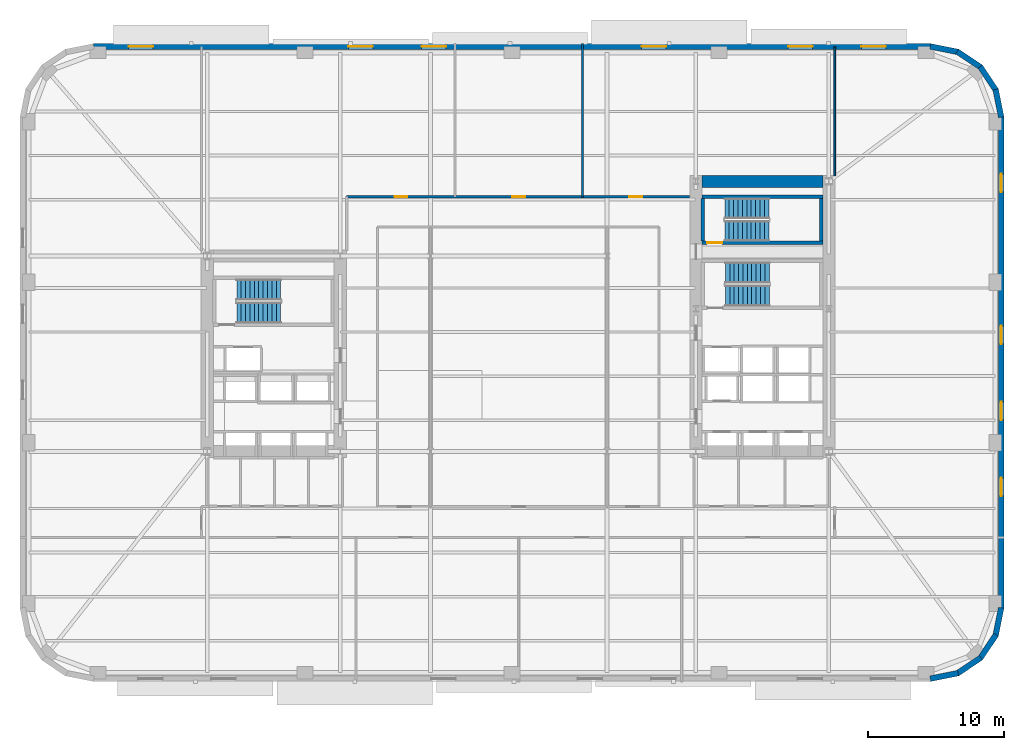
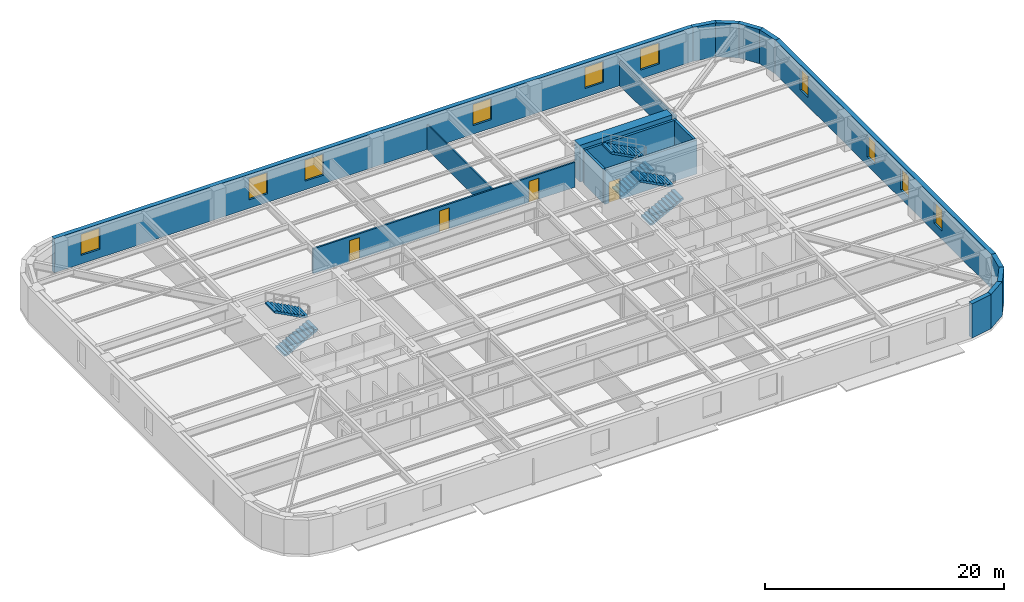
# One storey, part 7 of 15: 18 walls, 10 windows, 6 stair flights, 4 doors, 14 openings, 3 elements without a shape of their own.
"""IFC4 building model written with IfcOpenShell, lengths in metres."""

from ifc_helpers import new_model, si_unit, direction, frame, frame_2d, origin, place, context, subcontext, project, spatial, polyline, rectangle, outline, extrude, material, layer, layer_set, type_object, element, fill, aggregate, save


model = new_model("IFC4")

# Units and contexts
model_context = context("Model", 3, precision=1e-05, world=origin(), true_north=direction((0.0, 1.0)))
body_context = subcontext(model_context, "Body", "Model", "MODEL_VIEW")
ifc_project = project(units=[si_unit("LENGTHUNIT", "METRE"), si_unit("AREAUNIT", "SQUARE_METRE"), si_unit("VOLUMEUNIT", "CUBIC_METRE"), si_unit("PLANEANGLEUNIT", "RADIAN"), si_unit("MASSUNIT", "GRAM", prefix="KILO")], contexts=[model_context])

# Site, building, storey
site_placement = place(None, origin())
site = spatial("IfcSite", under=ifc_project, at=site_placement, CompositionType="ELEMENT")
building_placement = place(site_placement, origin())
building = spatial("IfcBuilding", under=site, at=building_placement, Name="Kolvaren Arena Tower", CompositionType="ELEMENT")
storey_placement = place(building_placement, frame((0.0, 0.0, 64.5)))
storey = spatial("IfcBuildingStorey", under=building, at=storey_placement, Name="L13", CompositionType="ELEMENT", Elevation=64.5)

# Wall, openings, doors
ifc_material_1 = material(Name="Gypsum board acoustic assembly", Category="gypsum")
ifc_layer_1 = layer(ifc_material_1, 0.159912109375)
ifc_layer_set_1 = layer_set([ifc_layer_1], Name="Gypsum board acoustic assembly")
wall_type_1 = type_object("IfcWallType", Name="CORR-160", PredefinedType="PARTITIONING", material=ifc_layer_set_1)
wall_1_placement = place(storey_placement, frame((24.820068359375, 38.219970703125, 0.0), z_axis=(0.0, 0.0, 1.0), x_axis=(1.0, 0.0, 0.0)))
wall_1 = element("IfcWall", 1, at=wall_1_placement, inside=storey, type_object=wall_type_1, Name="Interior Partition Wall (L13)", PredefinedType="PARTITIONING", context=body_context, shape_type="SweptSolid", body=[
    extrude(rectangle(XDim=25.260009765625, YDim=0.159912109375, at=frame_2d((12.6298828125, 0.0))), origin(), (0.0, 0.0, 1.0), 2.5400390625),
])
opening_1_placement = place(wall_1_placement, frame((3.530029296875, 0.0, 0.0)))
opening_1 = element("IfcOpeningElement", 2, at=opening_1_placement, cuts=wall_1, Name="Opening D05", PredefinedType="OPENING", context=body_context, shape_type="SweptSolid", body=[
    extrude(rectangle(XDim=0.949951171875, YDim=2.14990234375, at=frame_2d((0.47509765625, 1.074951171875))), frame((0.0, 0.08984375, 0.0), z_axis=(0.0, -1.0, 0.0), x_axis=(1.0, 0.0, 0.0)), (0.0, 0.0, 1.0), 0.179931640625),
])
opening_2_placement = place(wall_1_placement, frame((12.205078125, 0.0, 0.0)))
opening_2 = element("IfcOpeningElement", 3, at=opening_2_placement, cuts=wall_1, Name="Opening D05", PredefinedType="OPENING", context=body_context, shape_type="SweptSolid", body=[
    extrude(rectangle(XDim=0.949951171875, YDim=2.14990234375, at=frame_2d((0.47509765625, 1.074951171875))), frame((0.0, 0.08984375, 0.0), z_axis=(0.0, -1.0, 0.0), x_axis=(1.0, 0.0, 0.0)), (0.0, 0.0, 1.0), 0.179931640625),
])
opening_3_placement = place(wall_1_placement, frame((20.830078125, 0.0, 0.0)))
opening_3 = element("IfcOpeningElement", 4, at=opening_3_placement, cuts=wall_1, Name="Opening D05", PredefinedType="OPENING", context=body_context, shape_type="SweptSolid", body=[
    extrude(rectangle(XDim=0.949951171875, YDim=2.14990234375, at=frame_2d((0.47509765625, 1.074951171875))), frame((0.0, 0.08984375, 0.0), z_axis=(0.0, -1.0, 0.0), x_axis=(1.0, 0.0, 0.0)), (0.0, 0.0, 1.0), 0.179931640625),
])
ifc_material_2 = material(Name="Solid-core oak acoustic office door", Category="wood")
door_type_1 = type_object("IfcDoorType", Name="DOOR-OF-095", OperationType="NOTDEFINED", PredefinedType="DOOR", material=ifc_material_2)
door_1_placement = place(opening_1_placement, origin())
door_1 = element("IfcDoor", 5, at=door_1_placement, inside=storey, type_object=door_type_1, Name="Corporate Project Office Door (L13)", OperationType="SINGLE_SWING_LEFT", OverallHeight=2.14990234375, OverallWidth=0.949951171875, PredefinedType="DOOR", context=body_context, shape_type="SweptSolid", body=[
    extrude(rectangle(XDim=0.949951171875, YDim=2.14990234375, at=frame_2d((0.47509765625, 1.074951171875))), frame((0.0, 0.02490234375, 0.0), z_axis=(0.0, -1.0, 0.0), x_axis=(1.0, 0.0, 0.0)), (0.0, 0.0, 1.0), 0.050048828125),
])
fill(opening_1, door_1)
door_2_placement = place(opening_2_placement, origin())
door_2 = element("IfcDoor", 6, at=door_2_placement, inside=storey, type_object=door_type_1, Name="Breakout Pantry and Kitchen Door (L13)", OperationType="SINGLE_SWING_RIGHT", OverallHeight=2.14990234375, OverallWidth=0.949951171875, PredefinedType="DOOR", context=body_context, shape_type="SweptSolid", body=[
    extrude(rectangle(XDim=0.949951171875, YDim=2.14990234375, at=frame_2d((0.47509765625, 1.074951171875))), frame((0.0, 0.02490234375, 0.0), z_axis=(0.0, -1.0, 0.0), x_axis=(1.0, 0.0, 0.0)), (0.0, 0.0, 1.0), 0.050048828125),
])
fill(opening_2, door_2)
door_3_placement = place(opening_3_placement, origin())
door_3 = element("IfcDoor", 7, at=door_3_placement, inside=storey, type_object=door_type_1, Name="Wellness Room Door (L13)", OperationType="SINGLE_SWING_LEFT", OverallHeight=2.14990234375, OverallWidth=0.949951171875, PredefinedType="DOOR", context=body_context, shape_type="SweptSolid", body=[
    extrude(rectangle(XDim=0.949951171875, YDim=2.14990234375, at=frame_2d((0.47509765625, 1.074951171875))), frame((0.0, 0.02490234375, 0.0), z_axis=(0.0, -1.0, 0.0), x_axis=(1.0, 0.0, 0.0)), (0.0, 0.0, 1.0), 0.050048828125),
])
fill(opening_3, door_3)

# Walls
ifc_material_3 = material(Name="Concrete 80 MPa", Category="concrete")
ifc_layer_2 = layer(ifc_material_3, 0.89990234375)
ifc_layer_set_2 = layer_set([ifc_layer_2], Name="Concrete 80 MPa")
wall_type_2 = type_object("IfcWallType", Name="CWALL-900", PredefinedType="SHEAR", material=ifc_layer_set_2)
wall_2_placement = place(storey_placement, frame((51.0, 39.35009765625, -0.27001953125), z_axis=(0.0, 0.0, 1.0), x_axis=(1.0, 0.0, 0.0)))
element("IfcWall", 8, at=wall_2_placement, inside=storey, type_object=wall_type_2, Name="Core Shear Wall EC-NORTH (L13)", PredefinedType="SHEAR", context=body_context, shape_type="SweptSolid", body=[
    extrude(rectangle(XDim=8.89990234375, YDim=0.89990234375, at=frame_2d((4.449951171875, 0.0))), origin(), (0.0, 0.0, 1.0), 3.75),
])
ifc_material_4 = material(Name="Precast concrete C50/60", Category="concrete")
ifc_layer_3 = layer(ifc_material_4, 0.419921875)
ifc_layer_set_3 = layer_set([ifc_layer_3], Name="Precast concrete C50/60")
wall_type_3 = type_object("IfcWallType", Name="EXT-PIER1", PredefinedType="SOLIDWALL", material=ifc_layer_set_3)
for number, where, z_axis, x_axis, name in (
    (9, (69.87548828125, 3.1171875, 0.0), (0.0, 0.0, 1.0), (-0.9807762837, -0.195135546048, 0.0), "Exterior Precast Masonry-Frame Wall (L13)"),
    (10, (71.5517578125, 4.256103515625, 0.0), (0.0, 0.0, 1.0), (-0.831515102434, -0.555502146192, 0.0), "Exterior Precast Masonry-Frame Wall (L13)"),
    (11, (72.664306640625, 5.9501953125, 0.0), (0.0, 0.0, 1.0), (-0.555502146192, -0.831515102434, 0.0), "Exterior Precast Masonry-Frame Wall (L13)"),
    (12, (73.0439453125, 7.94091796875, 0.0), (0.0, 0.0, 1.0), (-0.195135546048, -0.9807762837, 0.0), "Exterior Precast Masonry-Frame Wall (L13)"),
):
    element("IfcWall", number, at=place(storey_placement, frame(where, z_axis=z_axis, x_axis=x_axis)), inside=storey, type_object=wall_type_3, Name=name, PredefinedType="SOLIDWALL", context=body_context, shape_type="SweptSolid", body=[
        extrude(rectangle(XDim=2.10693359375, YDim=0.419921875, at=frame_2d((1.053466796875, 0.0))), origin(), (0.0, 0.0, 1.0), 3.47998046875),
    ])

# Wall, openings, windows
wall_3_placement = place(storey_placement, frame((73.0400390625, 44.10009765625, 0.0), z_axis=(0.0, 0.0, 1.0), x_axis=(0.0, -1.0, 0.0)))
wall_3 = element("IfcWall", 13, at=wall_3_placement, inside=storey, type_object=wall_type_3, Name="Exterior Precast Masonry-Frame Wall (L13)", PredefinedType="SOLIDWALL", context=body_context, shape_type="SweptSolid", body=[
    extrude(rectangle(XDim=36.2001953125, YDim=0.419921875, at=frame_2d((18.10009765625, 0.0))), origin(), (0.0, 0.0, 1.0), 3.47998046875),
])
opening_4_placement = place(wall_3_placement, frame((4.199951171875, 0.0, 0.8798828125)))
opening_4 = element("IfcOpeningElement", 14, at=opening_4_placement, cuts=wall_3, Name="Opening W04", PredefinedType="OPENING", context=body_context, shape_type="SweptSolid", body=[
    extrude(rectangle(XDim=1.35009765625, YDim=2.199951171875, at=frame_2d((0.675048828125, 1.10009765625))), frame((0.0, 0.219970703125, 0.0), z_axis=(0.0, -1.0, 0.0), x_axis=(1.0, 0.0, 0.0)), (0.0, 0.0, 1.0), 0.43994140625),
])
opening_5_placement = place(wall_3_placement, frame((15.39990234375, 0.0, 0.8798828125)))
opening_5 = element("IfcOpeningElement", 15, at=opening_5_placement, cuts=wall_3, Name="Opening W04", PredefinedType="OPENING", context=body_context, shape_type="SweptSolid", body=[
    extrude(rectangle(XDim=1.35009765625, YDim=2.199951171875, at=frame_2d((0.675048828125, 1.10009765625))), frame((0.0, 0.219970703125, 0.0), z_axis=(0.0, -1.0, 0.0), x_axis=(1.0, 0.0, 0.0)), (0.0, 0.0, 1.0), 0.43994140625),
])
opening_6_placement = place(wall_3_placement, frame((21.0, 0.0, 0.8798828125)))
opening_6 = element("IfcOpeningElement", 16, at=opening_6_placement, cuts=wall_3, Name="Opening W04", PredefinedType="OPENING", context=body_context, shape_type="SweptSolid", body=[
    extrude(rectangle(XDim=1.35009765625, YDim=2.199951171875, at=frame_2d((0.675048828125, 1.10009765625))), frame((0.0, 0.219970703125, 0.0), z_axis=(0.0, -1.0, 0.0), x_axis=(1.0, 0.0, 0.0)), (0.0, 0.0, 1.0), 0.43994140625),
])
opening_7_placement = place(wall_3_placement, frame((26.60009765625, 0.0, 0.8798828125)))
opening_7 = element("IfcOpeningElement", 17, at=opening_7_placement, cuts=wall_3, Name="Opening W04", PredefinedType="OPENING", context=body_context, shape_type="SweptSolid", body=[
    extrude(rectangle(XDim=1.35009765625, YDim=2.199951171875, at=frame_2d((0.675048828125, 1.10009765625))), frame((0.0, 0.219970703125, 0.0), z_axis=(0.0, -1.0, 0.0), x_axis=(1.0, 0.0, 0.0)), (0.0, 0.0, 1.0), 0.43994140625),
])
ifc_material_5 = material(Name="Triple-glazed curved-facet corner window", Category="glass")
window_type_1 = type_object("IfcWindowType", Name="WIN-CRN-A", PartitioningType="SINGLE_PANEL", PredefinedType="WINDOW", material=ifc_material_5)
window_1_placement = place(opening_4_placement, origin())
window_1 = element("IfcWindow", 18, at=window_1_placement, inside=storey, type_object=window_type_1, Name="End-Wall Punched Window (L13)", OverallHeight=2.199951171875, OverallWidth=1.35009765625, PartitioningType="SINGLE_PANEL", PredefinedType="WINDOW", context=body_context, shape_type="SweptSolid", body=[
    extrude(rectangle(XDim=1.35009765625, YDim=2.199951171875, at=frame_2d((0.675048828125, 1.10009765625))), frame((0.0, 0.030029296875, 0.0), z_axis=(0.0, -1.0, 0.0), x_axis=(1.0, 0.0, 0.0)), (0.0, 0.0, 1.0), 0.06005859375),
])
fill(opening_4, window_1)
window_2_placement = place(opening_5_placement, origin())
window_2 = element("IfcWindow", 19, at=window_2_placement, inside=storey, type_object=window_type_1, Name="End-Wall Punched Window (L13)", OverallHeight=2.199951171875, OverallWidth=1.35009765625, PartitioningType="SINGLE_PANEL", PredefinedType="WINDOW", context=body_context, shape_type="SweptSolid", body=[
    extrude(rectangle(XDim=1.35009765625, YDim=2.199951171875, at=frame_2d((0.675048828125, 1.10009765625))), frame((0.0, 0.030029296875, 0.0), z_axis=(0.0, -1.0, 0.0), x_axis=(1.0, 0.0, 0.0)), (0.0, 0.0, 1.0), 0.06005859375),
])
fill(opening_5, window_2)
window_3_placement = place(opening_6_placement, origin())
window_3 = element("IfcWindow", 20, at=window_3_placement, inside=storey, type_object=window_type_1, Name="End-Wall Punched Window (L13)", OverallHeight=2.199951171875, OverallWidth=1.35009765625, PartitioningType="SINGLE_PANEL", PredefinedType="WINDOW", context=body_context, shape_type="SweptSolid", body=[
    extrude(rectangle(XDim=1.35009765625, YDim=2.199951171875, at=frame_2d((0.675048828125, 1.10009765625))), frame((0.0, 0.030029296875, 0.0), z_axis=(0.0, -1.0, 0.0), x_axis=(1.0, 0.0, 0.0)), (0.0, 0.0, 1.0), 0.06005859375),
])
fill(opening_6, window_3)
window_4_placement = place(opening_7_placement, origin())
window_4 = element("IfcWindow", 21, at=window_4_placement, inside=storey, type_object=window_type_1, Name="End-Wall Punched Window (L13)", OverallHeight=2.199951171875, OverallWidth=1.35009765625, PartitioningType="SINGLE_PANEL", PredefinedType="WINDOW", context=body_context, shape_type="SweptSolid", body=[
    extrude(rectangle(XDim=1.35009765625, YDim=2.199951171875, at=frame_2d((0.675048828125, 1.10009765625))), frame((0.0, 0.030029296875, 0.0), z_axis=(0.0, -1.0, 0.0), x_axis=(1.0, 0.0, 0.0)), (0.0, 0.0, 1.0), 0.06005859375),
])
fill(opening_7, window_4)

# Walls
for number, where, z_axis, x_axis, name in (
    (22, (72.6328125, 46.12548828125, 0.0), (0.0, 0.0, 1.0), (0.195135546048, -0.9807762837, 0.0), "Exterior Precast Masonry-Frame Wall (L13)"),
    (23, (71.493896484375, 47.8017578125, 0.0), (0.0, 0.0, 1.0), (0.555502146192, -0.831515102434, 0.0), "Exterior Precast Masonry-Frame Wall (L13)"),
    (24, (69.7998046875, 48.914306640625, 0.0), (0.0, 0.0, 1.0), (0.831515102434, -0.555502146192, 0.0), "Exterior Precast Masonry-Frame Wall (L13)"),
    (25, (67.80908203125, 49.2939453125, 0.0), (0.0, 0.0, 1.0), (0.9807762837, -0.195135546048, 0.0), "Exterior Precast Masonry-Frame Wall (L13)"),
):
    element("IfcWall", number, at=place(storey_placement, frame(where, z_axis=z_axis, x_axis=x_axis)), inside=storey, type_object=wall_type_3, Name=name, PredefinedType="SOLIDWALL", context=body_context, shape_type="SweptSolid", body=[
        extrude(rectangle(XDim=2.10693359375, YDim=0.419921875, at=frame_2d((1.053466796875, 0.0))), origin(), (0.0, 0.0, 1.0), 3.47998046875),
    ])

# Wall, openings, windows
wall_4_placement = place(storey_placement, frame((6.14990234375, 49.2900390625, 0.0), z_axis=(0.0, 0.0, 1.0), x_axis=(1.0, 0.0, 0.0)))
wall_4 = element("IfcWall", 26, at=wall_4_placement, inside=storey, type_object=wall_type_3, Name="Exterior Precast Masonry-Frame Wall (L13)", PredefinedType="SOLIDWALL", context=body_context, shape_type="SweptSolid", body=[
    extrude(rectangle(XDim=61.7001953125, YDim=0.419921875, at=frame_2d((30.85009765625, 0.0))), origin(), (0.0, 0.0, 1.0), 3.47998046875),
])
opening_8_placement = place(wall_4_placement, frame((2.60009765625, 0.0, 0.8798828125)))
opening_8 = element("IfcOpeningElement", 27, at=opening_8_placement, cuts=wall_4, Name="Opening W02", PredefinedType="OPENING", context=body_context, shape_type="SweptSolid", body=[
    extrude(rectangle(XDim=1.800048828125, YDim=2.14990234375, at=frame_2d((0.89990234375, 1.074951171875))), frame((0.0, 0.219970703125, 0.0), z_axis=(0.0, -1.0, 0.0), x_axis=(1.0, 0.0, 0.0)), (0.0, 0.0, 1.0), 0.43994140625),
])
opening_9_placement = place(wall_4_placement, frame((18.800048828125, 0.0, 0.8798828125)))
opening_9 = element("IfcOpeningElement", 28, at=opening_9_placement, cuts=wall_4, Name="Opening W02", PredefinedType="OPENING", context=body_context, shape_type="SweptSolid", body=[
    extrude(rectangle(XDim=1.800048828125, YDim=2.14990234375, at=frame_2d((0.89990234375, 1.074951171875))), frame((0.0, 0.219970703125, 0.0), z_axis=(0.0, -1.0, 0.0), x_axis=(1.0, 0.0, 0.0)), (0.0, 0.0, 1.0), 0.43994140625),
])
opening_10_placement = place(wall_4_placement, frame((24.199951171875, 0.0, 0.8798828125)))
opening_10 = element("IfcOpeningElement", 29, at=opening_10_placement, cuts=wall_4, Name="Opening W02", PredefinedType="OPENING", context=body_context, shape_type="SweptSolid", body=[
    extrude(rectangle(XDim=1.800048828125, YDim=2.14990234375, at=frame_2d((0.89990234375, 1.074951171875))), frame((0.0, 0.219970703125, 0.0), z_axis=(0.0, -1.0, 0.0), x_axis=(1.0, 0.0, 0.0)), (0.0, 0.0, 1.0), 0.43994140625),
])
opening_11_placement = place(wall_4_placement, frame((40.39990234375, 0.0, 0.8798828125)))
opening_11 = element("IfcOpeningElement", 30, at=opening_11_placement, cuts=wall_4, Name="Opening W02", PredefinedType="OPENING", context=body_context, shape_type="SweptSolid", body=[
    extrude(rectangle(XDim=1.800048828125, YDim=2.14990234375, at=frame_2d((0.89990234375, 1.074951171875))), frame((0.0, 0.219970703125, 0.0), z_axis=(0.0, -1.0, 0.0), x_axis=(1.0, 0.0, 0.0)), (0.0, 0.0, 1.0), 0.43994140625),
])
opening_12_placement = place(wall_4_placement, frame((51.199951171875, 0.0, 0.8798828125)))
opening_12 = element("IfcOpeningElement", 31, at=opening_12_placement, cuts=wall_4, Name="Opening W02", PredefinedType="OPENING", context=body_context, shape_type="SweptSolid", body=[
    extrude(rectangle(XDim=1.800048828125, YDim=2.14990234375, at=frame_2d((0.89990234375, 1.074951171875))), frame((0.0, 0.219970703125, 0.0), z_axis=(0.0, -1.0, 0.0), x_axis=(1.0, 0.0, 0.0)), (0.0, 0.0, 1.0), 0.43994140625),
])
opening_13_placement = place(wall_4_placement, frame((56.60009765625, 0.0, 0.8798828125)))
opening_13 = element("IfcOpeningElement", 32, at=opening_13_placement, cuts=wall_4, Name="Opening W02", PredefinedType="OPENING", context=body_context, shape_type="SweptSolid", body=[
    extrude(rectangle(XDim=1.800048828125, YDim=2.14990234375, at=frame_2d((0.89990234375, 1.074951171875))), frame((0.0, 0.219970703125, 0.0), z_axis=(0.0, -1.0, 0.0), x_axis=(1.0, 0.0, 0.0)), (0.0, 0.0, 1.0), 0.43994140625),
])
ifc_material_6 = material(Name="Triple-glazed low-E aluminium window", Category="aluminium")
window_type_2 = type_object("IfcWindowType", Name="WIN-OFF-B", PartitioningType="DOUBLE_PANEL_VERTICAL", PredefinedType="WINDOW", material=ifc_material_6)
window_5_placement = place(opening_8_placement, origin())
window_5 = element("IfcWindow", 33, at=window_5_placement, inside=storey, type_object=window_type_2, Name="Punched Precast-Pier Window (L13)", OverallHeight=2.14990234375, OverallWidth=1.800048828125, PartitioningType="DOUBLE_PANEL_VERTICAL", PredefinedType="WINDOW", context=body_context, shape_type="SweptSolid", body=[
    extrude(rectangle(XDim=1.800048828125, YDim=2.14990234375, at=frame_2d((0.89990234375, 1.074951171875))), frame((0.0, 0.030029296875, 0.0), z_axis=(0.0, -1.0, 0.0), x_axis=(1.0, 0.0, 0.0)), (0.0, 0.0, 1.0), 0.06005859375),
])
fill(opening_8, window_5)
window_6_placement = place(opening_9_placement, origin())
window_6 = element("IfcWindow", 34, at=window_6_placement, inside=storey, type_object=window_type_2, Name="Punched Precast-Pier Window (L13)", OverallHeight=2.14990234375, OverallWidth=1.800048828125, PartitioningType="DOUBLE_PANEL_VERTICAL", PredefinedType="WINDOW", context=body_context, shape_type="SweptSolid", body=[
    extrude(rectangle(XDim=1.800048828125, YDim=2.14990234375, at=frame_2d((0.89990234375, 1.074951171875))), frame((0.0, 0.030029296875, 0.0), z_axis=(0.0, -1.0, 0.0), x_axis=(1.0, 0.0, 0.0)), (0.0, 0.0, 1.0), 0.06005859375),
])
fill(opening_9, window_6)
window_7_placement = place(opening_10_placement, origin())
window_7 = element("IfcWindow", 35, at=window_7_placement, inside=storey, type_object=window_type_2, Name="Punched Precast-Pier Window (L13)", OverallHeight=2.14990234375, OverallWidth=1.800048828125, PartitioningType="DOUBLE_PANEL_VERTICAL", PredefinedType="WINDOW", context=body_context, shape_type="SweptSolid", body=[
    extrude(rectangle(XDim=1.800048828125, YDim=2.14990234375, at=frame_2d((0.89990234375, 1.074951171875))), frame((0.0, 0.030029296875, 0.0), z_axis=(0.0, -1.0, 0.0), x_axis=(1.0, 0.0, 0.0)), (0.0, 0.0, 1.0), 0.06005859375),
])
fill(opening_10, window_7)
window_8_placement = place(opening_11_placement, origin())
window_8 = element("IfcWindow", 36, at=window_8_placement, inside=storey, type_object=window_type_2, Name="Punched Precast-Pier Window (L13)", OverallHeight=2.14990234375, OverallWidth=1.800048828125, PartitioningType="DOUBLE_PANEL_VERTICAL", PredefinedType="WINDOW", context=body_context, shape_type="SweptSolid", body=[
    extrude(rectangle(XDim=1.800048828125, YDim=2.14990234375, at=frame_2d((0.89990234375, 1.074951171875))), frame((0.0, 0.030029296875, 0.0), z_axis=(0.0, -1.0, 0.0), x_axis=(1.0, 0.0, 0.0)), (0.0, 0.0, 1.0), 0.06005859375),
])
fill(opening_11, window_8)
window_9_placement = place(opening_12_placement, origin())
window_9 = element("IfcWindow", 37, at=window_9_placement, inside=storey, type_object=window_type_2, Name="Punched Precast-Pier Window (L13)", OverallHeight=2.14990234375, OverallWidth=1.800048828125, PartitioningType="DOUBLE_PANEL_VERTICAL", PredefinedType="WINDOW", context=body_context, shape_type="SweptSolid", body=[
    extrude(rectangle(XDim=1.800048828125, YDim=2.14990234375, at=frame_2d((0.89990234375, 1.074951171875))), frame((0.0, 0.030029296875, 0.0), z_axis=(0.0, -1.0, 0.0), x_axis=(1.0, 0.0, 0.0)), (0.0, 0.0, 1.0), 0.06005859375),
])
fill(opening_12, window_9)
window_10_placement = place(opening_13_placement, origin())
window_10 = element("IfcWindow", 38, at=window_10_placement, inside=storey, type_object=window_type_2, Name="Punched Precast-Pier Window (L13)", OverallHeight=2.14990234375, OverallWidth=1.800048828125, PartitioningType="DOUBLE_PANEL_VERTICAL", PredefinedType="WINDOW", context=body_context, shape_type="SweptSolid", body=[
    extrude(rectangle(XDim=1.800048828125, YDim=2.14990234375, at=frame_2d((0.89990234375, 1.074951171875))), frame((0.0, 0.030029296875, 0.0), z_axis=(0.0, -1.0, 0.0), x_axis=(1.0, 0.0, 0.0)), (0.0, 0.0, 1.0), 0.06005859375),
])
fill(opening_13, window_10)

# Walls
ifc_material_7 = material(Name="Gypsum board partition assembly", Category="gypsum")
ifc_layer_4 = layer(ifc_material_7, 0.135009765625)
ifc_layer_set_4 = layer_set([ifc_layer_4], Name="Gypsum board partition assembly")
wall_type_4 = type_object("IfcWallType", Name="PART-135", PredefinedType="PARTITIONING", material=ifc_layer_set_4)
wall_5_placement = place(storey_placement, frame((42.199951171875, 38.219970703125, 0.0), z_axis=(0.0, 0.0, 1.0), x_axis=(0.0, 1.0, 0.0)))
element("IfcWall", 39, at=wall_5_placement, inside=storey, type_object=wall_type_4, Name="Interior Partition Wall (L13)", PredefinedType="PARTITIONING", context=body_context, shape_type="SweptSolid", body=[
    extrude(rectangle(XDim=11.280029296875, YDim=0.135009765625, at=frame_2d((5.64013671875, 0.0))), origin(), (0.0, 0.0, 1.0), 2.5400390625),
])
wall_6_placement = place(storey_placement, frame((60.780029296875, 39.75, 0.0), z_axis=(0.0, 0.0, 1.0), x_axis=(0.0, 1.0, 0.0)))
element("IfcWall", 40, at=wall_6_placement, inside=storey, type_object=wall_type_4, Name="Interior Partition Wall (L13)", PredefinedType="PARTITIONING", context=body_context, shape_type="SweptSolid", body=[
    extrude(rectangle(XDim=9.510009765625, YDim=0.135009765625, at=frame_2d((4.7548828125, 0.0))), origin(), (0.0, 0.0, 1.0), 2.5400390625),
])

# Wall, opening, door
ifc_material_8 = material(Name="Concrete 45 MPa", Category="concrete")
ifc_layer_5 = layer(ifc_material_8, 0.25)
ifc_layer_set_5 = layer_set([ifc_layer_5], Name="Concrete 45 MPa")
wall_type_5 = type_object("IfcWallType", Name="SHAFT-250", PredefinedType="SOLIDWALL", material=ifc_layer_set_5)
wall_7_placement = place(storey_placement, frame((59.89990234375, 34.830078125, 0.0), z_axis=(0.0, 0.0, 1.0), x_axis=(-1.0, 0.0, 0.0)))
wall_7 = element("IfcWall", 41, at=wall_7_placement, inside=storey, type_object=wall_type_5, Name="Core Shaft Wall (L13)", PredefinedType="SOLIDWALL", context=body_context, shape_type="SweptSolid", body=[
    extrude(rectangle(XDim=8.89990234375, YDim=0.239990234375, at=frame_2d((4.449951171875, 0.0))), origin(), (0.0, 0.0, 1.0), 3.47998046875),
])
opening_14_placement = place(wall_7_placement, frame((7.419921875, 0.0, 0.0)))
opening_14 = element("IfcOpeningElement", 42, at=opening_14_placement, cuts=wall_7, Name="Opening D03", PredefinedType="OPENING", context=body_context, shape_type="SweptSolid", body=[
    extrude(rectangle(XDim=1.10009765625, YDim=2.14990234375, at=frame_2d((0.550048828125, 1.074951171875))), frame((0.0, 0.1298828125, 0.0), z_axis=(0.0, -1.0, 0.0), x_axis=(1.0, 0.0, 0.0)), (0.0, 0.0, 1.0), 0.260009765625),
])
ifc_material_9 = material(Name="Fire-rated steel exit stair door", Category="steel")
door_type_2 = type_object("IfcDoorType", Name="DOOR-ST-110", OperationType="NOTDEFINED", PredefinedType="DOOR", material=ifc_material_9)
door_4_placement = place(opening_14_placement, origin())
door_4 = element("IfcDoor", 43, at=door_4_placement, inside=storey, type_object=door_type_2, Name="Stair ST-E2 Fire Door (L13)", OperationType="SINGLE_SWING_LEFT", OverallHeight=2.14990234375, OverallWidth=1.10009765625, PredefinedType="DOOR", context=body_context, shape_type="SweptSolid", body=[
    extrude(rectangle(XDim=1.10009765625, YDim=2.14990234375, at=frame_2d((0.550048828125, 1.074951171875))), frame((0.0, 0.02490234375, 0.0), z_axis=(0.0, -1.0, 0.0), x_axis=(1.0, 0.0, 0.0)), (0.0, 0.0, 1.0), 0.050048828125),
])
fill(opening_14, door_4)

# Walls
wall_8_placement = place(storey_placement, frame((51.0, 38.219970703125, 0.0), z_axis=(0.0, 0.0, 1.0), x_axis=(1.0, 0.0, 0.0)))
element("IfcWall", 44, at=wall_8_placement, inside=storey, type_object=wall_type_5, Name="Core Shaft Wall (L13)", PredefinedType="SOLIDWALL", context=body_context, shape_type="SweptSolid", body=[
    extrude(rectangle(XDim=8.89990234375, YDim=0.239990234375, at=frame_2d((4.449951171875, 0.0))), origin(), (0.0, 0.0, 1.0), 3.47998046875),
])
for number, where, z_axis, x_axis, name in (
    (45, (51.06005859375, 34.949951171875, 0.0), (0.0, 0.0, 1.0), (0.0, 1.0, 0.0), "Core Shaft Wall (L13)"),
    (46, (59.780029296875, 34.949951171875, 0.0), (0.0, 0.0, 1.0), (0.0, 1.0, 0.0), "Core Shaft Wall (L13)"),
):
    element("IfcWall", number, at=place(storey_placement, frame(where, z_axis=z_axis, x_axis=x_axis)), inside=storey, type_object=wall_type_5, Name=name, PredefinedType="SOLIDWALL", context=body_context, shape_type="SweptSolid", body=[
        extrude(rectangle(XDim=3.150146484375, YDim=0.239990234375, at=frame_2d((1.5751953125, 0.0))), origin(), (0.0, 0.0, 1.0), 3.47998046875),
    ])

# Stair, stair flights
stair_type_1 = type_object("IfcStairType", Name="STAIR-CORE-150", PredefinedType="HALF_TURN_STAIR", material=ifc_material_8)
stair_1_placement = place(storey_placement, origin())
stair_1 = element("IfcStair", 47, at=stair_1_placement, inside=storey, type_object=stair_type_1, Name="L13 ST-E2", PredefinedType="HALF_TURN_STAIR")
stair_flight_type_1 = type_object("IfcStairFlightType", Name="FLT-150", PredefinedType="STRAIGHT", material=ifc_material_8)
stair_flight_1_placement = place(storey_placement, frame((52.679931640625, 35.699951171875, 0.0), z_axis=(0.0, 0.0, 1.0), x_axis=(1.0, 0.0, 0.0)))
stair_flight_1 = element("IfcStairFlight", 48, at=stair_flight_1_placement, type_object=stair_flight_type_1, Name="ST-E2 flight 1", NumberOfRisers=11, NumberOfTreads=10, PredefinedType="STRAIGHT", RiserHeight=0.170454545, TreadLength=0.324, context=body_context, shape_type="SweptSolid", body=[
    extrude(outline(polyline([(0.0, 0.0), (0.0, 0.17041015625), (0.323974609375, 0.17041015625), (0.323974609375, 0.3408203125), (0.64794921875, 0.3408203125), (0.64794921875, 0.511474609375), (0.971923828125, 0.511474609375), (0.971923828125, 0.681884765625), (1.2958984375, 0.681884765625), (1.2958984375, 0.852294921875), (1.6201171875, 0.852294921875), (1.6201171875, 1.022705078125), (1.944091796875, 1.022705078125), (1.944091796875, 1.193115234375), (2.26806640625, 1.193115234375), (2.26806640625, 1.363525390625), (2.592041015625, 1.363525390625), (2.592041015625, 1.5341796875), (2.916015625, 1.5341796875), (2.916015625, 1.70458984375), (3.239990234375, 1.70458984375), (3.239990234375, 1.875), (3.239990234375, 1.53515625), (0.322021484375, 0.0), (0.0, 0.0)])), frame((0.0, 0.75, 0.0), z_axis=(0.0, -1.0, 0.0), x_axis=(1.0, 0.0, 0.0)), (0.0, 0.0, 1.0), 1.5),
])
stair_flight_2_placement = place(storey_placement, frame((55.919921875, 37.35009765625, 1.875), z_axis=(0.0, 0.0, 1.0), x_axis=(-1.0, 0.0, 0.0)))
stair_flight_2 = element("IfcStairFlight", 49, at=stair_flight_2_placement, type_object=stair_flight_type_1, Name="ST-E2 flight 2", NumberOfRisers=11, NumberOfTreads=10, PredefinedType="STRAIGHT", RiserHeight=0.170454545, TreadLength=0.324, context=body_context, shape_type="SweptSolid", body=[
    extrude(outline(polyline([(0.0, 0.0), (0.0, 0.17041015625), (0.323974609375, 0.17041015625), (0.323974609375, 0.3408203125), (0.64794921875, 0.3408203125), (0.64794921875, 0.511474609375), (0.971923828125, 0.511474609375), (0.971923828125, 0.681884765625), (1.2958984375, 0.681884765625), (1.2958984375, 0.852294921875), (1.6201171875, 0.852294921875), (1.6201171875, 1.022705078125), (1.944091796875, 1.022705078125), (1.944091796875, 1.193115234375), (2.26806640625, 1.193115234375), (2.26806640625, 1.363525390625), (2.592041015625, 1.363525390625), (2.592041015625, 1.5341796875), (2.916015625, 1.5341796875), (2.916015625, 1.70458984375), (3.239990234375, 1.70458984375), (3.239990234375, 1.875), (3.239990234375, 1.53515625), (0.322021484375, 0.0), (0.0, 0.0)])), frame((0.0, 0.75, 0.0), z_axis=(0.0, -1.0, 0.0), x_axis=(1.0, 0.0, 0.0)), (0.0, 0.0, 1.0), 1.5),
])
aggregate(stair_1, [stair_flight_1, stair_flight_2])

stair_type_2 = type_object("IfcStairType", Name="STAIR-CORE-165", PredefinedType="HALF_TURN_STAIR", material=ifc_material_8)
stair_2_placement = place(storey_placement, origin())
stair_2 = element("IfcStair", 50, at=stair_2_placement, inside=storey, type_object=stair_type_2, Name="L13 ST-W1", PredefinedType="HALF_TURN_STAIR")
stair_flight_type_2 = type_object("IfcStairFlightType", Name="FLT-165", PredefinedType="STRAIGHT", material=ifc_material_8)
stair_flight_3_placement = place(storey_placement, frame((16.719970703125, 29.669921875, 0.0), z_axis=(0.0, 0.0, 1.0), x_axis=(1.0, 0.0, 0.0)))
stair_flight_3 = element("IfcStairFlight", 51, at=stair_flight_3_placement, type_object=stair_flight_type_2, Name="ST-W1 flight 1", NumberOfRisers=11, NumberOfTreads=10, PredefinedType="STRAIGHT", RiserHeight=0.170454545, TreadLength=0.324, context=body_context, shape_type="SweptSolid", body=[
    extrude(outline(polyline([(0.0, 0.0), (0.0, 0.17041015625), (0.323974609375, 0.17041015625), (0.323974609375, 0.3408203125), (0.64794921875, 0.3408203125), (0.64794921875, 0.511474609375), (0.971923828125, 0.511474609375), (0.971923828125, 0.681884765625), (1.2958984375, 0.681884765625), (1.2958984375, 0.852294921875), (1.6201171875, 0.852294921875), (1.6201171875, 1.022705078125), (1.944091796875, 1.022705078125), (1.944091796875, 1.193115234375), (2.26806640625, 1.193115234375), (2.26806640625, 1.363525390625), (2.592041015625, 1.363525390625), (2.592041015625, 1.5341796875), (2.916015625, 1.5341796875), (2.916015625, 1.70458984375), (3.239990234375, 1.70458984375), (3.239990234375, 1.875), (3.239990234375, 1.53515625), (0.322021484375, 0.0), (0.0, 0.0)])), frame((0.0, 0.77001953125, 0.0), z_axis=(0.0, -1.0, 0.0), x_axis=(1.0, 0.0, 0.0)), (0.0, 0.0, 1.0), 1.5400390625),
])
stair_flight_4_placement = place(storey_placement, frame((19.9599609375, 31.360107421875, 1.875), z_axis=(0.0, 0.0, 1.0), x_axis=(-1.0, 0.0, 0.0)))
stair_flight_4 = element("IfcStairFlight", 52, at=stair_flight_4_placement, type_object=stair_flight_type_2, Name="ST-W1 flight 2", NumberOfRisers=11, NumberOfTreads=10, PredefinedType="STRAIGHT", RiserHeight=0.170454545, TreadLength=0.324, context=body_context, shape_type="SweptSolid", body=[
    extrude(outline(polyline([(0.0, 0.0), (0.0, 0.17041015625), (0.323974609375, 0.17041015625), (0.323974609375, 0.3408203125), (0.64794921875, 0.3408203125), (0.64794921875, 0.511474609375), (0.971923828125, 0.511474609375), (0.971923828125, 0.681884765625), (1.2958984375, 0.681884765625), (1.2958984375, 0.852294921875), (1.6201171875, 0.852294921875), (1.6201171875, 1.022705078125), (1.944091796875, 1.022705078125), (1.944091796875, 1.193115234375), (2.26806640625, 1.193115234375), (2.26806640625, 1.363525390625), (2.592041015625, 1.363525390625), (2.592041015625, 1.5341796875), (2.916015625, 1.5341796875), (2.916015625, 1.70458984375), (3.239990234375, 1.70458984375), (3.239990234375, 1.875), (3.239990234375, 1.53515625), (0.322021484375, 0.0), (0.0, 0.0)])), frame((0.0, 0.77001953125, 0.0), z_axis=(0.0, -1.0, 0.0), x_axis=(1.0, 0.0, 0.0)), (0.0, 0.0, 1.0), 1.5400390625),
])
aggregate(stair_2, [stair_flight_3, stair_flight_4])

stair_3_placement = place(storey_placement, origin())
stair_3 = element("IfcStair", 53, at=stair_3_placement, inside=storey, type_object=stair_type_2, Name="L13 ST-E1", PredefinedType="HALF_TURN_STAIR")
stair_flight_5_placement = place(storey_placement, frame((52.719970703125, 30.919921875, 0.0), z_axis=(0.0, 0.0, 1.0), x_axis=(1.0, 0.0, 0.0)))
stair_flight_5 = element("IfcStairFlight", 54, at=stair_flight_5_placement, type_object=stair_flight_type_2, Name="ST-E1 flight 1", NumberOfRisers=11, NumberOfTreads=10, PredefinedType="STRAIGHT", RiserHeight=0.170454545, TreadLength=0.324, context=body_context, shape_type="SweptSolid", body=[
    extrude(outline(polyline([(0.0, 0.0), (0.0, 0.17041015625), (0.323974609375, 0.17041015625), (0.323974609375, 0.3408203125), (0.64794921875, 0.3408203125), (0.64794921875, 0.511474609375), (0.971923828125, 0.511474609375), (0.971923828125, 0.681884765625), (1.2958984375, 0.681884765625), (1.2958984375, 0.852294921875), (1.6201171875, 0.852294921875), (1.6201171875, 1.022705078125), (1.944091796875, 1.022705078125), (1.944091796875, 1.193115234375), (2.26806640625, 1.193115234375), (2.26806640625, 1.363525390625), (2.592041015625, 1.363525390625), (2.592041015625, 1.5341796875), (2.916015625, 1.5341796875), (2.916015625, 1.70458984375), (3.239990234375, 1.70458984375), (3.239990234375, 1.875), (3.239990234375, 1.53515625), (0.322021484375, 0.0), (0.0, 0.0)])), frame((0.0, 0.77001953125, 0.0), z_axis=(0.0, -1.0, 0.0), x_axis=(1.0, 0.0, 0.0)), (0.0, 0.0, 1.0), 1.5400390625),
])
stair_flight_6_placement = place(storey_placement, frame((55.9599609375, 32.610107421875, 1.875), z_axis=(0.0, 0.0, 1.0), x_axis=(-1.0, 0.0, 0.0)))
stair_flight_6 = element("IfcStairFlight", 55, at=stair_flight_6_placement, type_object=stair_flight_type_2, Name="ST-E1 flight 2", NumberOfRisers=11, NumberOfTreads=10, PredefinedType="STRAIGHT", RiserHeight=0.170454545, TreadLength=0.324, context=body_context, shape_type="SweptSolid", body=[
    extrude(outline(polyline([(0.0, 0.0), (0.0, 0.17041015625), (0.323974609375, 0.17041015625), (0.323974609375, 0.3408203125), (0.64794921875, 0.3408203125), (0.64794921875, 0.511474609375), (0.971923828125, 0.511474609375), (0.971923828125, 0.681884765625), (1.2958984375, 0.681884765625), (1.2958984375, 0.852294921875), (1.6201171875, 0.852294921875), (1.6201171875, 1.022705078125), (1.944091796875, 1.022705078125), (1.944091796875, 1.193115234375), (2.26806640625, 1.193115234375), (2.26806640625, 1.363525390625), (2.592041015625, 1.363525390625), (2.592041015625, 1.5341796875), (2.916015625, 1.5341796875), (2.916015625, 1.70458984375), (3.239990234375, 1.70458984375), (3.239990234375, 1.875), (3.239990234375, 1.53515625), (0.322021484375, 0.0), (0.0, 0.0)])), frame((0.0, 0.77001953125, 0.0), z_axis=(0.0, -1.0, 0.0), x_axis=(1.0, 0.0, 0.0)), (0.0, 0.0, 1.0), 1.5400390625),
])
aggregate(stair_3, [stair_flight_5, stair_flight_6])

save(model, "model.ifc")
